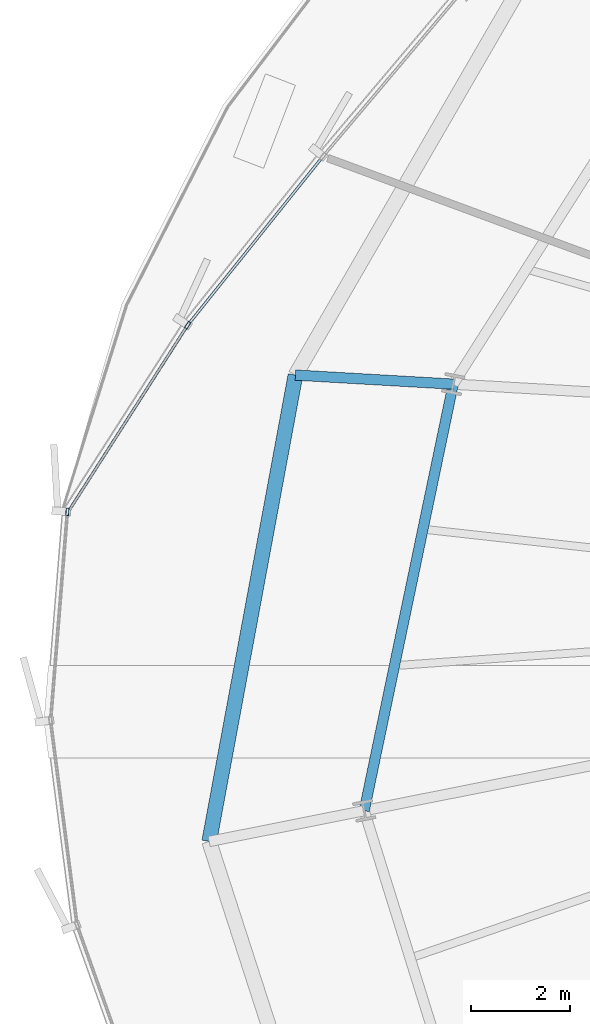
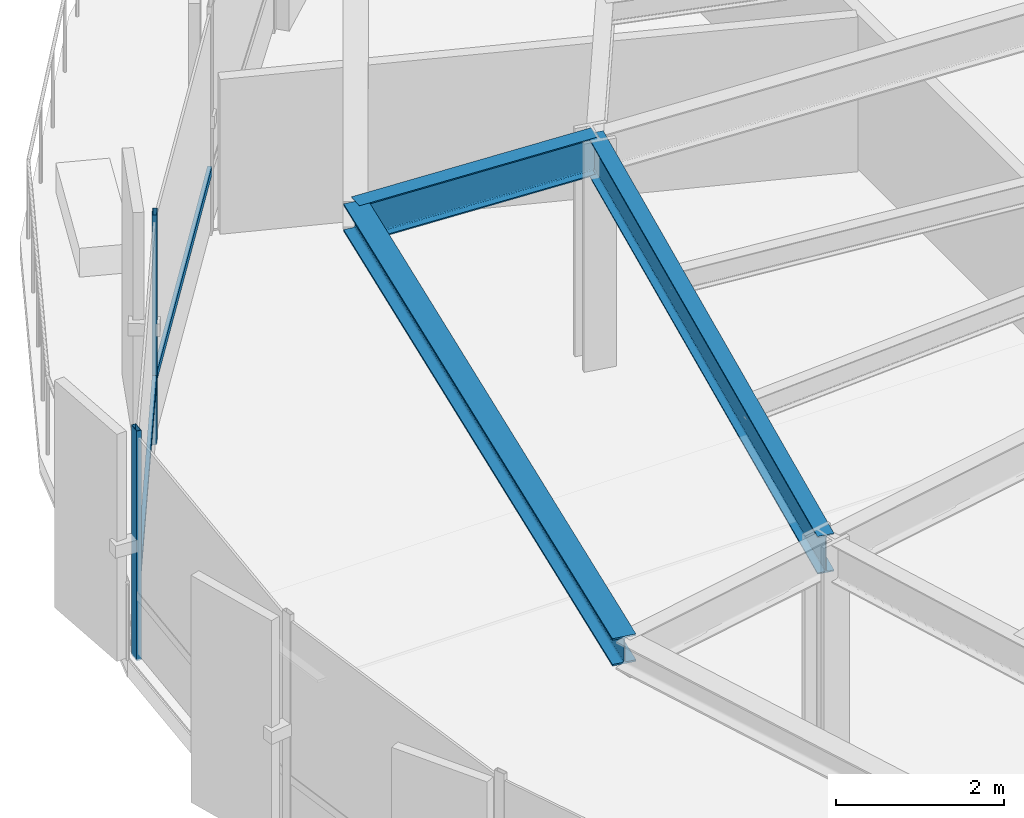
# One storey, part 10 of 35: 4 members, 3 beams, 1 element without a shape of its own.
"""IFC4 building model written with IfcOpenShell, lengths in metres."""

from ifc_helpers import new_model, si_unit, direction, frame, origin, origin_2d, place, context, subcontext, project, spatial, hollow_rectangle, i_section, extrude, source, transform, mapped, material, layer, layer_set, material_profile, profile_set, type_object, element, aggregate, save


model = new_model("IFC4")

# Units and contexts
model_context = context("Model", 3, precision=1e-05, world=origin(), true_north=direction((0.0, 1.0)))
body_context = subcontext(model_context, "Body", "Model", "MODEL_VIEW")
ifc_project = project(units=[si_unit("LENGTHUNIT", "METRE"), si_unit("AREAUNIT", "SQUARE_METRE"), si_unit("VOLUMEUNIT", "CUBIC_METRE"), si_unit("PLANEANGLEUNIT", "RADIAN"), si_unit("MASSUNIT", "GRAM", prefix="KILO"), si_unit("THERMODYNAMICTEMPERATUREUNIT", "KELVIN")], contexts=[model_context])

# Site, building, storey
site_placement = place(None, origin())
site = spatial("IfcSite", under=ifc_project, at=site_placement, CompositionType="ELEMENT")
building_placement = place(site_placement, origin())
building = spatial("IfcBuilding", under=site, at=building_placement, Name="Kethvar Cultural Tower", CompositionType="ELEMENT")
storey_placement = place(building_placement, frame((0.0, 0.0, 89.199951171875)))
storey = spatial("IfcBuildingStorey", under=building, at=storey_placement, Name="L21", CompositionType="ELEMENT", Elevation=89.199951171875)

# Beams
ifc_material_1 = material(Name="Steel S355J2", Category="steel")
ifc_material_profile_1 = material_profile(ifc_material_1, i_section(OverallWidth=0.2099609375, OverallDepth=0.550048828125, WebThickness=0.010986328125, FlangeThickness=0.01708984375, FilletRadius=0.02392578125, at=origin_2d()), Name="Steel S355J2 — IPE550")
ifc_profile_set_1 = profile_set([ifc_material_profile_1], Name="Steel S355J2 — IPE550")
beam_type_1 = type_object("IfcBeamType", Name="BM-IPE550", PredefinedType="BEAM", material=ifc_profile_set_1)
shared_shape_1 = source(origin(), body_context, "Body", "SweptSolid", [
    extrude(i_section(OverallWidth=0.2099609375, OverallDepth=0.550048828125, WebThickness=0.010986328125, FlangeThickness=0.01708984375, FilletRadius=0.02392578125, at=origin_2d()), origin(), (0.0, 0.0, 1.0), 3.2001953125),
])
beam_1_placement = place(storey_placement, frame((25.988525390625, 31.939697265625, 3.072998046875), z_axis=(-0.998357274949, 0.057295301352, 0.0), x_axis=(-0.057295301352, -0.998357274949, 0.0)))
element("IfcBeam", 1, at=beam_1_placement, inside=storey, type_object=beam_type_1, Name="L21 Perimeter Cantilever Beam RC-08", PredefinedType="BEAM", context=body_context, shape_type="MappedRepresentation", body=[
    mapped(shared_shape_1, transform((0.0, 0.0, 0.0), scale=1.0)),
])
shared_shape_2 = source(origin(), body_context, "Body", "SweptSolid", [
    extrude(i_section(OverallWidth=0.2099609375, OverallDepth=0.550048828125, WebThickness=0.010986328125, FlangeThickness=0.01708984375, FilletRadius=0.02392578125, at=origin_2d()), origin(), (0.0, 0.0, 1.0), 8.82421875),
])
beam_2_placement = place(storey_placement, frame((25.988525390625, 31.939697265625, 3.072998046875), z_axis=(-0.204350879122, -0.978897705688, 0.0), x_axis=(0.978897705688, -0.204350879122, 0.0)))
element("IfcBeam", 2, at=beam_2_placement, inside=storey, type_object=beam_type_1, Name="L21 Column Ring Tie Beam CR-08", PredefinedType="BEAM", context=body_context, shape_type="MappedRepresentation", body=[
    mapped(shared_shape_2, transform((0.0, 0.0, 0.0), scale=1.0)),
])
ifc_material_profile_2 = material_profile(ifc_material_1, i_section(OverallWidth=0.300048828125, OverallDepth=0.39990234375, WebThickness=0.013427734375, FlangeThickness=0.02392578125, FilletRadius=0.027099609375, at=origin_2d()), Name="Steel S355J2 — HEB400")
ifc_profile_set_2 = profile_set([ifc_material_profile_2], Name="Steel S355J2 — HEB400")
beam_type_2 = type_object("IfcBeamType", Name="BM-SP400", PredefinedType="SPANDREL", material=ifc_profile_set_2)
shared_shape_3 = source(origin(), body_context, "Body", "SweptSolid", [
    extrude(i_section(OverallWidth=0.300048828125, OverallDepth=0.39990234375, WebThickness=0.013427734375, FlangeThickness=0.02392578125, FilletRadius=0.027099609375, at=origin_2d()), origin(), (0.0, 0.0, 1.0), 9.605712890625),
])
beam_3_placement = place(storey_placement, frame((22.793701171875, 32.123046875, 3.14794921875), z_axis=(-0.1818526217, -0.983325797476, 0.0), x_axis=(0.983325797476, -0.1818526217, 0.0)))
element("IfcBeam", 3, at=beam_3_placement, inside=storey, type_object=beam_type_2, Name="L21 Perimeter Spandrel Beam SP-08", PredefinedType="SPANDREL", context=body_context, shape_type="MappedRepresentation", body=[
    mapped(shared_shape_3, transform((0.0, 0.0, 0.0), scale=1.0)),
])

# Curtain wall, members
ifc_material_2 = material(Name="Aluminium 6063-T6", Category="aluminium")
ifc_layer = layer(ifc_material_2, 0.179931640625, Name="Aluminium 6063-T6", Category="aluminium")
ifc_layer_set = layer_set([ifc_layer], Name="Aluminium 6063-T6 (180 mm)")
curtain_wall_type = type_object("IfcCurtainWallType", Name="CW-SYS-03-Z2", PredefinedType="NOTDEFINED", material=ifc_layer_set)
curtain_wall_placement = place(storey_placement, origin())
curtain_wall = element("IfcCurtainWall", 4, at=curtain_wall_placement, inside=storey, type_object=curtain_wall_type, Name="L21 Curtain Wall Run 03", PredefinedType="NOTDEFINED")
ifc_material_profile_3 = material_profile(ifc_material_2, hollow_rectangle(XDim=0.06005859375, YDim=0.14990234375, WallThickness=0.0048828125, at=origin_2d()), Name="Aluminium 6063-T6 — RHS150x60x5")
ifc_profile_set_3 = profile_set([ifc_material_profile_3], Name="Aluminium 6063-T6 — RHS150x60x5")
member_type_1 = type_object("IfcMemberType", Name="CW-SYS-03-Z2-MUL", PredefinedType="MULLION", material=ifc_profile_set_3)
shared_shape_4 = source(origin(), body_context, "Body", "SweptSolid", [
    extrude(hollow_rectangle(XDim=0.06005859375, YDim=0.14990234375, WallThickness=0.0048828125, at=origin_2d()), origin(), (0.0, 0.0, 1.0), 3.35009765625),
])
member_1_placement = place(storey_placement, frame((20.61181640625, 33.135009765625, 0.0), z_axis=(0.0, 0.0, 1.0), x_axis=(0.842189003345, -0.539182420563, 0.0)))
member_1 = element("IfcMember", 5, at=member_1_placement, type_object=member_type_1, Name="CW-L21-R03 Mullion 3", PredefinedType="MULLION", context=body_context, shape_type="MappedRepresentation", body=[
    mapped(shared_shape_4, transform((0.0, 0.0, 0.0), scale=1.0)),
])
member_2_placement = place(storey_placement, frame((18.175048828125, 29.354248046875, 0.0), z_axis=(0.0, 0.0, 1.0), x_axis=(0.996778878456, -0.080198924329, 0.0)))
member_2 = element("IfcMember", 6, at=member_2_placement, type_object=member_type_1, Name="CW-L21-R03 Mullion 4", PredefinedType="MULLION", context=body_context, shape_type="MappedRepresentation", body=[
    mapped(shared_shape_4, transform((0.0, 0.0, 0.0), scale=1.0)),
])
ifc_material_profile_4 = material_profile(ifc_material_2, hollow_rectangle(XDim=0.054931640625, YDim=0.1201171875, WallThickness=0.00390625, at=origin_2d()), Name="Aluminium 6063-T6 — RHS120x55x4")
ifc_profile_set_4 = profile_set([ifc_material_profile_4], Name="Aluminium 6063-T6 — RHS120x55x4")
member_type_2 = type_object("IfcMemberType", Name="CW-SYS-03-Z2-TRN", PredefinedType="USERDEFINED", material=ifc_profile_set_4)
shared_shape_5 = source(origin(), body_context, "Body", "SweptSolid", [
    extrude(hollow_rectangle(XDim=0.054931640625, YDim=0.1201171875, WallThickness=0.00390625, at=origin_2d()), origin(), (0.0, 0.0, 1.0), 4.306396484375),
])
member_3_placement = place(storey_placement, frame((23.324462890625, 36.51953125, 0.949951171875), z_axis=(-0.625317082794, -0.780370774674, 0.0), x_axis=(0.780370774674, -0.625317082794, 0.0)))
member_3 = element("IfcMember", 7, at=member_3_placement, type_object=member_type_2, Name="CW-L21-R03 Transom 2", ObjectType="TRANSOM", PredefinedType="USERDEFINED", context=body_context, shape_type="MappedRepresentation", body=[
    mapped(shared_shape_5, transform((0.0, 0.0, 0.0), scale=1.0)),
])
shared_shape_6 = source(origin(), body_context, "Body", "SweptSolid", [
    extrude(hollow_rectangle(XDim=0.054931640625, YDim=0.1201171875, WallThickness=0.00390625, at=origin_2d()), origin(), (0.0, 0.0, 1.0), 4.46533203125),
])
member_4_placement = place(storey_placement, frame((20.58837890625, 33.0986328125, 0.949951171875), z_axis=(-0.539187114613, -0.842185998124, 0.0), x_axis=(0.842185998124, -0.539187114613, 0.0)))
member_4 = element("IfcMember", 8, at=member_4_placement, type_object=member_type_2, Name="CW-L21-R03 Transom 3", ObjectType="TRANSOM", PredefinedType="USERDEFINED", context=body_context, shape_type="MappedRepresentation", body=[
    mapped(shared_shape_6, transform((0.0, 0.0, 0.0), scale=1.0)),
])
aggregate(curtain_wall, [member_1, member_2, member_3, member_4])

save(model, "model.ifc")
